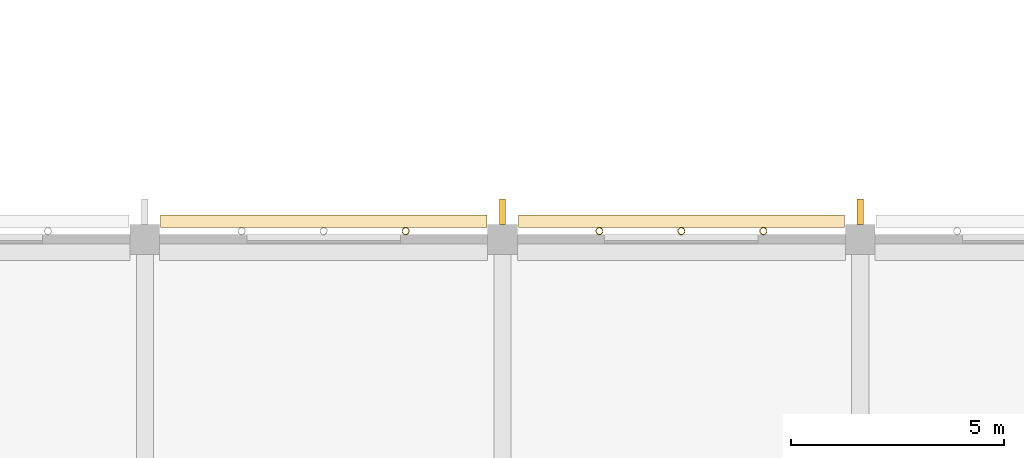
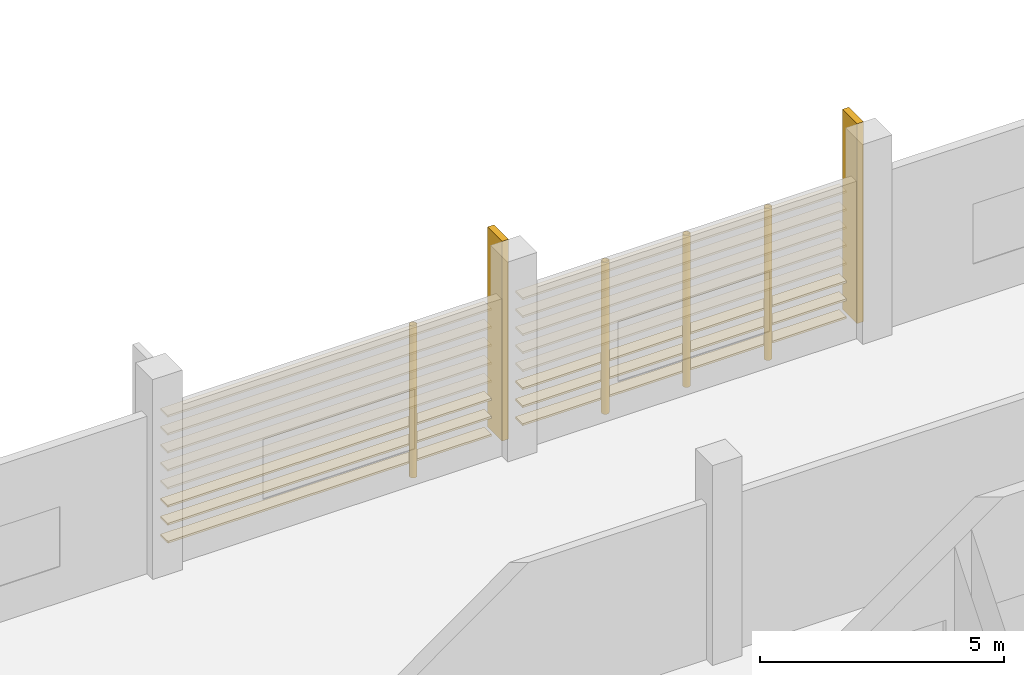
# One storey, part 57 of 82: 16 coverings, 6 shading devices.
"""IFC4 building model written with IfcOpenShell, lengths in metres."""

from ifc_helpers import new_model, si_unit, direction, frame, origin, origin_2d, place, context, subcontext, project, spatial, rectangle, hollow_circle, extrude, material, material_profile, profile_set, type_object, element, save


model = new_model("IFC4")

# Units and contexts
model_context = context("Model", 3, precision=1e-05, world=origin(), true_north=direction((0.0, 1.0)))
body_context = subcontext(model_context, "Body", "Model", "MODEL_VIEW")
ifc_project = project(units=[si_unit("LENGTHUNIT", "METRE"), si_unit("AREAUNIT", "SQUARE_METRE"), si_unit("VOLUMEUNIT", "CUBIC_METRE"), si_unit("PLANEANGLEUNIT", "RADIAN"), si_unit("MASSUNIT", "GRAM", prefix="KILO")], contexts=[model_context])

# Site, building, storey
site_placement = place(None, origin())
site = spatial("IfcSite", under=ifc_project, at=site_placement, CompositionType="ELEMENT")
building_placement = place(site_placement, origin())
building = spatial("IfcBuilding", under=site, at=building_placement, Name="Almond Square Museum", CompositionType="ELEMENT")
storey_placement = place(building_placement, frame((0.0, 0.0, 20.0)))
storey = spatial("IfcBuildingStorey", under=building, at=storey_placement, Name="L03", CompositionType="ELEMENT", Elevation=20.0)

# Shading devices
ifc_material_1 = material(Name="Structural steel S355", Category="steel")
ifc_material_profile_1 = material_profile(ifc_material_1, hollow_circle(Radius=0.084228515625, WallThickness=0.008056640625, at=origin_2d()))
ifc_profile_set_1 = profile_set([ifc_material_profile_1], Name="Structural steel S355")
shading_device_type_1 = type_object("IfcShadingDeviceType", Name="Louvre post CHS 168.3 x 8", PredefinedType="USERDEFINED", material=ifc_profile_set_1)
for number, where, z_axis, x_axis, name in (
    (1, (92.27490234375, 16.994140625, 0.0), (0.0, 0.0, 1.0), (1.0, 0.0, 0.0), "Louvre screen post"),
    (2, (94.199951171875, 16.994140625, 0.0), (0.0, 0.0, 1.0), (1.0, 0.0, 0.0), "Louvre screen post"),
    (3, (96.125, 16.994140625, 0.0), (0.0, 0.0, 1.0), (1.0, 0.0, 0.0), "Louvre screen post"),
    (4, (87.72509765625, 16.994140625, 0.0), (0.0, 0.0, 1.0), (1.0, 0.0, 0.0), "Louvre screen post"),
):
    element("IfcShadingDevice", number, at=place(storey_placement, frame(where, z_axis=z_axis, x_axis=x_axis)), inside=storey, type_object=shading_device_type_1, Name=name, ObjectType="POST", PredefinedType="USERDEFINED", context=body_context, shape_type="SweptSolid", body=[
        extrude(hollow_circle(Radius=0.084228515625, WallThickness=0.008056640625, at=origin_2d()), origin(), (0.0, 0.0, 1.0), 3.800048828125),
    ])

# Coverings
ifc_material_2 = material(Name="Cedar timber louvre board", Category="wood")
ifc_material_profile_2 = material_profile(ifc_material_2, rectangle(XDim=0.300048828125, YDim=0.050048828125, at=origin_2d()))
ifc_profile_set_2 = profile_set([ifc_material_profile_2], Name="Cedar timber louvre board")
covering_type = type_object("IfcCoveringType", Name="Louvre screen board 300 x 50", PredefinedType="CLADDING", material=ifc_profile_set_2)
for number, where, z_axis, x_axis, name in (
    (5, (90.3701171875, 17.224365234375, 0.300048828125), (1.0, 0.0, 0.0), (0.0, 1.0, 0.0), "Louvre screen board"),
    (6, (90.3701171875, 17.224365234375, 0.75), (1.0, 0.0, 0.0), (0.0, 1.0, 0.0), "Louvre screen board"),
    (7, (90.3701171875, 17.224365234375, 1.199951171875), (1.0, 0.0, 0.0), (0.0, 1.0, 0.0), "Louvre screen board"),
    (8, (90.3701171875, 17.224365234375, 1.64990234375), (1.0, 0.0, 0.0), (0.0, 1.0, 0.0), "Louvre screen board"),
    (9, (90.3701171875, 17.224365234375, 2.10009765625), (1.0, 0.0, 0.0), (0.0, 1.0, 0.0), "Louvre screen board"),
    (10, (90.3701171875, 17.224365234375, 2.550048828125), (1.0, 0.0, 0.0), (0.0, 1.0, 0.0), "Louvre screen board"),
    (11, (90.3701171875, 17.224365234375, 3.0), (1.0, 0.0, 0.0), (0.0, 1.0, 0.0), "Louvre screen board"),
    (12, (90.3701171875, 17.224365234375, 3.449951171875), (1.0, 0.0, 0.0), (0.0, 1.0, 0.0), "Louvre screen board"),
    (13, (81.969970703125, 17.224365234375, 0.300048828125), (1.0, 0.0, 0.0), (0.0, 1.0, 0.0), "Louvre screen board"),
    (14, (81.969970703125, 17.224365234375, 0.75), (1.0, 0.0, 0.0), (0.0, 1.0, 0.0), "Louvre screen board"),
    (15, (81.969970703125, 17.224365234375, 1.199951171875), (1.0, 0.0, 0.0), (0.0, 1.0, 0.0), "Louvre screen board"),
    (16, (81.969970703125, 17.224365234375, 1.64990234375), (1.0, 0.0, 0.0), (0.0, 1.0, 0.0), "Louvre screen board"),
    (17, (81.969970703125, 17.224365234375, 2.10009765625), (1.0, 0.0, 0.0), (0.0, 1.0, 0.0), "Louvre screen board"),
    (18, (81.969970703125, 17.224365234375, 2.550048828125), (1.0, 0.0, 0.0), (0.0, 1.0, 0.0), "Louvre screen board"),
    (19, (81.969970703125, 17.224365234375, 3.0), (1.0, 0.0, 0.0), (0.0, 1.0, 0.0), "Louvre screen board"),
    (20, (81.969970703125, 17.224365234375, 3.449951171875), (1.0, 0.0, 0.0), (0.0, 1.0, 0.0), "Louvre screen board"),
):
    element("IfcCovering", number, at=place(storey_placement, frame(where, z_axis=z_axis, x_axis=x_axis)), inside=storey, type_object=covering_type, Name=name, PredefinedType="CLADDING", context=body_context, shape_type="SweptSolid", body=[
        extrude(rectangle(XDim=0.300048828125, YDim=0.050048828125, at=origin_2d()), origin(), (0.0, 0.0, 1.0), 7.659912109375),
    ])

# Shading devices
ifc_material_3 = material(Name="Cedar timber fin", Category="wood")
shading_device_type_2 = type_object("IfcShadingDeviceType", Name="Timber storm fin 150 x 600", PredefinedType="USERDEFINED", material=ifc_material_3)
for number, where, z_axis, x_axis, name in (
    (21, (90.0, 17.449951171875, 0.0), (0.0, 0.0, 1.0), (1.0, 0.0, 0.0), "Timber storm fin"),
    (22, (98.39990234375, 17.449951171875, 0.0), (0.0, 0.0, 1.0), (1.0, 0.0, 0.0), "Timber storm fin"),
):
    element("IfcShadingDevice", number, at=place(storey_placement, frame(where, z_axis=z_axis, x_axis=x_axis)), inside=storey, type_object=shading_device_type_2, Name=name, ObjectType="FIN", PredefinedType="USERDEFINED", context=body_context, shape_type="SweptSolid", body=[
        extrude(rectangle(XDim=0.14990234375, YDim=0.60009765625, at=origin_2d()), origin(), (0.0, 0.0, 1.0), 5.0),
    ])

save(model, "model.ifc")
